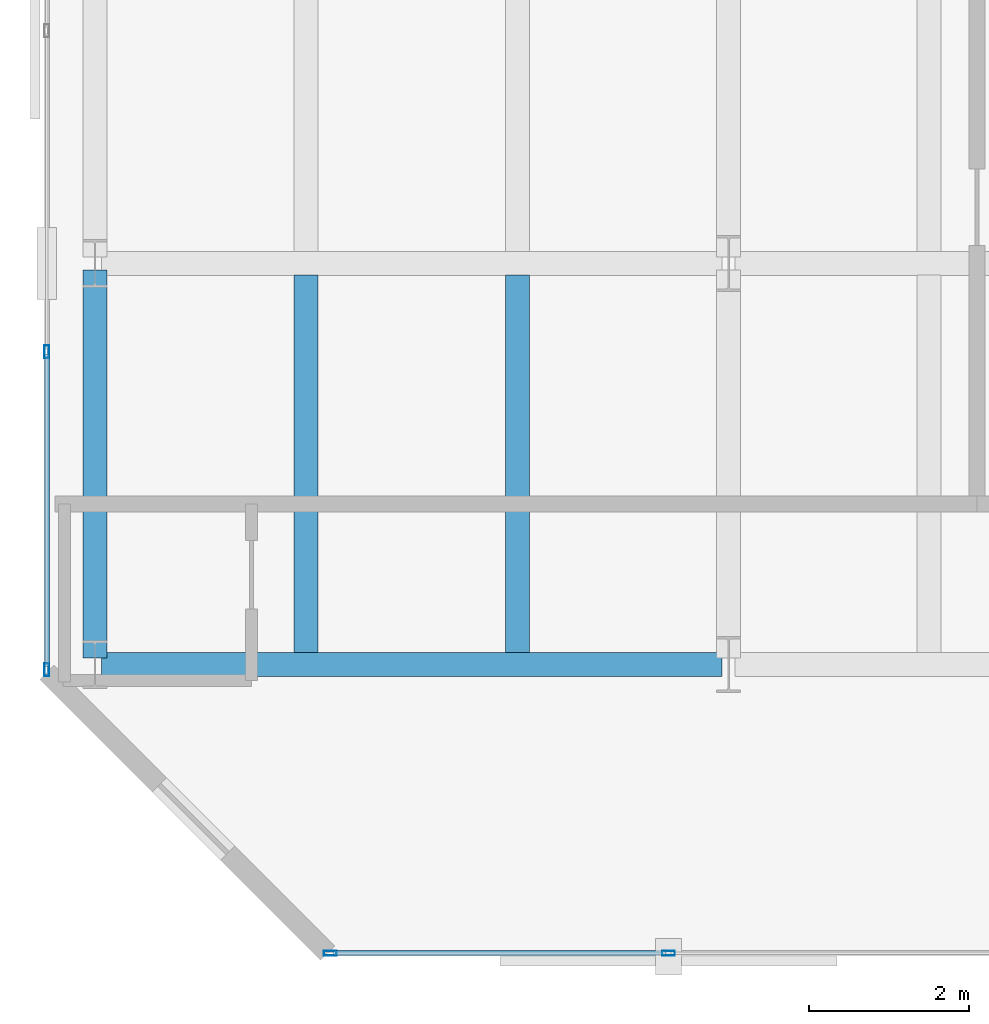
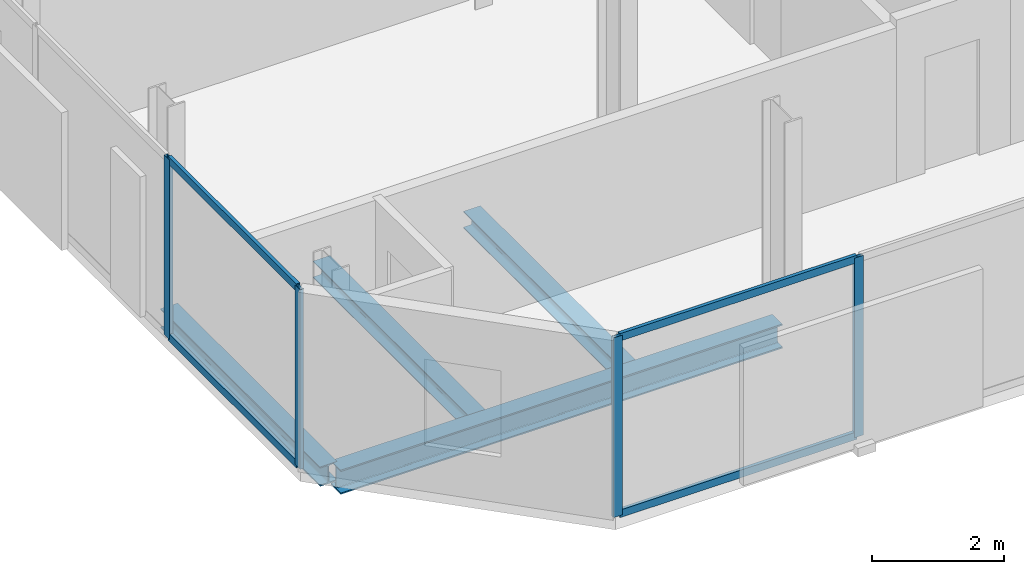
# One storey, part 3 of 33: 8 members, 4 beams, 2 elements without a shape of their own.
"""IFC4 building model written with IfcOpenShell, lengths in metres."""

from ifc_helpers import new_model, si_unit, direction, frame, origin, origin_2d, place, context, subcontext, project, spatial, hollow_rectangle, i_section, extrude, material, layer, layer_set, material_profile, profile_set, type_object, element, aggregate, save


model = new_model("IFC4")

# Units and contexts
model_context = context("Model", 3, precision=1e-05, world=origin(), true_north=direction((0.0, 1.0)))
body_context = subcontext(model_context, "Body", "Model", "MODEL_VIEW")
ifc_project = project(units=[si_unit("LENGTHUNIT", "METRE"), si_unit("AREAUNIT", "SQUARE_METRE"), si_unit("VOLUMEUNIT", "CUBIC_METRE"), si_unit("PLANEANGLEUNIT", "RADIAN"), si_unit("MASSUNIT", "GRAM", prefix="KILO")], contexts=[model_context])

# Site, building, storey
site_placement = place(None, origin())
site = spatial("IfcSite", under=ifc_project, at=site_placement, CompositionType="ELEMENT")
building_placement = place(site_placement, origin())
building = spatial("IfcBuilding", under=site, at=building_placement, Name="Catumbela Crestline Tower", CompositionType="ELEMENT")
storey_placement = place(building_placement, frame((0.0, 0.0, 118.8)))
storey = spatial("IfcBuildingStorey", under=building, at=storey_placement, Name="L30", CompositionType="ELEMENT", Elevation=118.8)

# Beams
ifc_material_1 = material(Name="Structural steel S355J2", Category="steel")
ifc_material_profile_1 = material_profile(ifc_material_1, i_section(OverallWidth=0.3, OverallDepth=0.45, WebThickness=0.014, FlangeThickness=0.026, FilletRadius=0.027, at=origin_2d()), Name="HEB 450")
ifc_profile_set_1 = profile_set([ifc_material_profile_1], Name="Structural steel S355J2")
beam_type_1 = type_object("IfcBeamType", Name="BG-HEB450", PredefinedType="BEAM", material=ifc_profile_set_1)
beam_1_placement = place(storey_placement, frame((0.68, 8.6, -0.485), z_axis=(1.0, 0.0, 0.0), x_axis=(0.0, 1.0, 0.0)))
element("IfcBeam", 1, at=beam_1_placement, inside=storey, type_object=beam_type_1, Name="L30 Beam BM-L30-WEW43", PredefinedType="BEAM", context=body_context, shape_type="SweptSolid", body=[
    extrude(i_section(OverallWidth=0.3, OverallDepth=0.45, WebThickness=0.014, FlangeThickness=0.026, FilletRadius=0.027, at=origin_2d()), origin(), (0.0, 0.0, 1.0), 7.74),
])
ifc_material_profile_2 = material_profile(ifc_material_1, i_section(OverallWidth=0.3, OverallDepth=0.31, WebThickness=0.009, FlangeThickness=0.0155, FilletRadius=0.027, at=origin_2d()), Name="HEA 320")
ifc_profile_set_2 = profile_set([ifc_material_profile_2], Name="Structural steel S355J2")
beam_type_2 = type_object("IfcBeamType", Name="BJ-HEA320", PredefinedType="JOIST", material=ifc_profile_set_2)
for number, where, z_axis, x_axis, name in (
    (2, (3.233, 8.747, -0.415), (0.0, 1.0, 0.0), (-1.0, 0.0, 0.0), "L30 Joist JS-L30-WG63"),
    (3, (5.867, 8.747, -0.415), (0.0, 1.0, 0.0), (-1.0, 0.0, 0.0), "L30 Joist JS-L30-WG64"),
):
    element("IfcBeam", number, at=place(storey_placement, frame(where, z_axis=z_axis, x_axis=x_axis)), inside=storey, type_object=beam_type_2, Name=name, PredefinedType="JOIST", context=body_context, shape_type="SweptSolid", body=[
        extrude(i_section(OverallWidth=0.3, OverallDepth=0.31, WebThickness=0.009, FlangeThickness=0.0155, FilletRadius=0.027, at=origin_2d()), origin(), (0.0, 0.0, 1.0), 4.706),
    ])

# Curtain wall, members
ifc_material_2 = material(Name="Aluminium alloy AW-6060-T66", Category="aluminium")
ifc_layer = layer(ifc_material_2, 0.18, Name="Aluminium alloy AW-6060-T66")
ifc_layer_set = layer_set([ifc_layer], Name="Aluminium alloy AW-6060-T66")
curtain_wall_type = type_object("IfcCurtainWallType", Name="CWU-Z2", PredefinedType="USERDEFINED", material=ifc_layer_set)
curtain_wall_1_placement = place(storey_placement, origin())
curtain_wall_1 = element("IfcCurtainWall", 4, at=curtain_wall_1_placement, inside=storey, type_object=curtain_wall_type, Name="L30 Unitised Curtain Wall CW-L30-E0S1", ObjectType="UNITISED", PredefinedType="USERDEFINED")
ifc_material_profile_3 = material_profile(ifc_material_2, hollow_rectangle(XDim=0.06, YDim=0.16, WallThickness=0.004, at=origin_2d()), Name="ALU 160x60x4")
ifc_profile_set_3 = profile_set([ifc_material_profile_3], Name="Aluminium alloy AW-6060-T66")
member_type_1 = type_object("IfcMemberType", Name="MUL-160X60", PredefinedType="MULLION", material=ifc_profile_set_3)
member_1_placement = place(storey_placement, frame((3.5325, 5.0, 0.0), z_axis=(0.0, 0.0, 1.0), x_axis=(0.0, 1.0, 0.0)))
member_1 = element("IfcMember", 5, at=member_1_placement, type_object=member_type_1, Name="CWU-Z2 mullion 1", PredefinedType="MULLION", context=body_context, shape_type="SweptSolid", body=[
    extrude(hollow_rectangle(XDim=0.06, YDim=0.16, WallThickness=0.004, at=origin_2d()), origin(), (0.0, 0.0, 1.0), 3.33),
])
member_2_placement = place(storey_placement, frame((7.75, 5.0, 0.0), z_axis=(0.0, 0.0, 1.0), x_axis=(0.0, 1.0, 0.0)))
member_2 = element("IfcMember", 6, at=member_2_placement, type_object=member_type_1, Name="CWU-Z2 mullion 2", PredefinedType="MULLION", context=body_context, shape_type="SweptSolid", body=[
    extrude(hollow_rectangle(XDim=0.06, YDim=0.16, WallThickness=0.004, at=origin_2d()), origin(), (0.0, 0.0, 1.0), 3.33),
])

curtain_wall_2_placement = place(storey_placement, origin())
curtain_wall_2 = element("IfcCurtainWall", 7, at=curtain_wall_2_placement, inside=storey, type_object=curtain_wall_type, Name="L30 Unitised Curtain Wall CW-L30-E9S1", ObjectType="UNITISED", PredefinedType="USERDEFINED")
member_3_placement = place(storey_placement, frame((0.0, 12.5, 0.0), z_axis=(0.0, 0.0, 1.0), x_axis=(1.0, 0.0, 0.0)))
member_3 = element("IfcMember", 8, at=member_3_placement, type_object=member_type_1, Name="CWU-Z2 mullion 9", PredefinedType="MULLION", context=body_context, shape_type="SweptSolid", body=[
    extrude(hollow_rectangle(XDim=0.06, YDim=0.16, WallThickness=0.004, at=origin_2d()), origin(), (0.0, 0.0, 1.0), 3.33),
])
member_4_placement = place(storey_placement, frame((0.0, 8.5325, 0.0), z_axis=(0.0, 0.0, 1.0), x_axis=(1.0, 0.0, 0.0)))
member_4 = element("IfcMember", 9, at=member_4_placement, type_object=member_type_1, Name="CWU-Z2 mullion 10", PredefinedType="MULLION", context=body_context, shape_type="SweptSolid", body=[
    extrude(hollow_rectangle(XDim=0.06, YDim=0.16, WallThickness=0.004, at=origin_2d()), origin(), (0.0, 0.0, 1.0), 3.33),
])

# Beam
ifc_material_profile_4 = material_profile(ifc_material_1, i_section(OverallWidth=0.3, OverallDepth=0.36, WebThickness=0.0125, FlangeThickness=0.0225, FilletRadius=0.027, at=origin_2d()), Name="HEB 360")
ifc_profile_set_4 = profile_set([ifc_material_profile_4], Name="Structural steel S355J2")
beam_type_3 = type_object("IfcBeamType", Name="BS-HEB360", PredefinedType="SPANDREL", material=ifc_profile_set_4)
beam_2_placement = place(storey_placement, frame((0.6, 8.68, -0.44), z_axis=(0.0, 1.0, 0.0), x_axis=(-1.0, 0.0, 0.0)))
element("IfcBeam", 10, at=beam_2_placement, inside=storey, type_object=beam_type_3, Name="L30 Spandrel SP-L30-WNS52", PredefinedType="SPANDREL", context=body_context, shape_type="SweptSolid", body=[
    extrude(i_section(OverallWidth=0.3, OverallDepth=0.36, WebThickness=0.0125, FlangeThickness=0.0225, FilletRadius=0.027, at=origin_2d()), origin(), (0.0, 0.0, 1.0), 4.84),
])

# Member
ifc_material_profile_5 = material_profile(ifc_material_2, hollow_rectangle(XDim=0.06, YDim=0.14, WallThickness=0.004, at=origin_2d()), Name="ALU 140x60x4")
ifc_profile_set_5 = profile_set([ifc_material_profile_5], Name="Aluminium alloy AW-6060-T66")
member_type_2 = type_object("IfcMemberType", Name="TRN-140X60", PredefinedType="USERDEFINED", material=ifc_profile_set_5)
member_5_placement = place(storey_placement, frame((3.565, 5.0, 0.03), z_axis=(1.0, 0.0, 0.0), x_axis=(0.0, 1.0, 0.0)))
member_5 = element("IfcMember", 11, at=member_5_placement, type_object=member_type_2, Name="CWU-Z2 transom 1.1", ObjectType="TRANSOM", PredefinedType="USERDEFINED", context=body_context, shape_type="SweptSolid", body=[
    extrude(hollow_rectangle(XDim=0.06, YDim=0.14, WallThickness=0.004, at=origin_2d()), origin(), (0.0, 0.0, 1.0), 4.1525),
])

member_6_placement = place(storey_placement, frame((3.565, 5.0, 3.3), z_axis=(1.0, 0.0, 0.0), x_axis=(0.0, 1.0, 0.0)))
member_6 = element("IfcMember", 12, at=member_6_placement, type_object=member_type_2, Name="CWU-Z2 transom 1.2", ObjectType="TRANSOM", PredefinedType="USERDEFINED", context=body_context, shape_type="SweptSolid", body=[
    extrude(hollow_rectangle(XDim=0.06, YDim=0.14, WallThickness=0.004, at=origin_2d()), origin(), (0.0, 0.0, 1.0), 4.1525),
])

aggregate(curtain_wall_1, [member_1, member_2, member_5, member_6])

member_7_placement = place(storey_placement, frame((0.0, 12.4675, 0.03), z_axis=(0.0, -1.0, 0.0), x_axis=(1.0, 0.0, 0.0)))
member_7 = element("IfcMember", 13, at=member_7_placement, type_object=member_type_2, Name="CWU-Z2 transom 9.1", ObjectType="TRANSOM", PredefinedType="USERDEFINED", context=body_context, shape_type="SweptSolid", body=[
    extrude(hollow_rectangle(XDim=0.06, YDim=0.14, WallThickness=0.004, at=origin_2d()), origin(), (0.0, 0.0, 1.0), 3.9025),
])

member_8_placement = place(storey_placement, frame((0.0, 12.4675, 3.3), z_axis=(0.0, -1.0, 0.0), x_axis=(1.0, 0.0, 0.0)))
member_8 = element("IfcMember", 14, at=member_8_placement, type_object=member_type_2, Name="CWU-Z2 transom 9.2", ObjectType="TRANSOM", PredefinedType="USERDEFINED", context=body_context, shape_type="SweptSolid", body=[
    extrude(hollow_rectangle(XDim=0.06, YDim=0.14, WallThickness=0.004, at=origin_2d()), origin(), (0.0, 0.0, 1.0), 3.9025),
])

aggregate(curtain_wall_2, [member_3, member_4, member_7, member_8])

save(model, "model.ifc")
